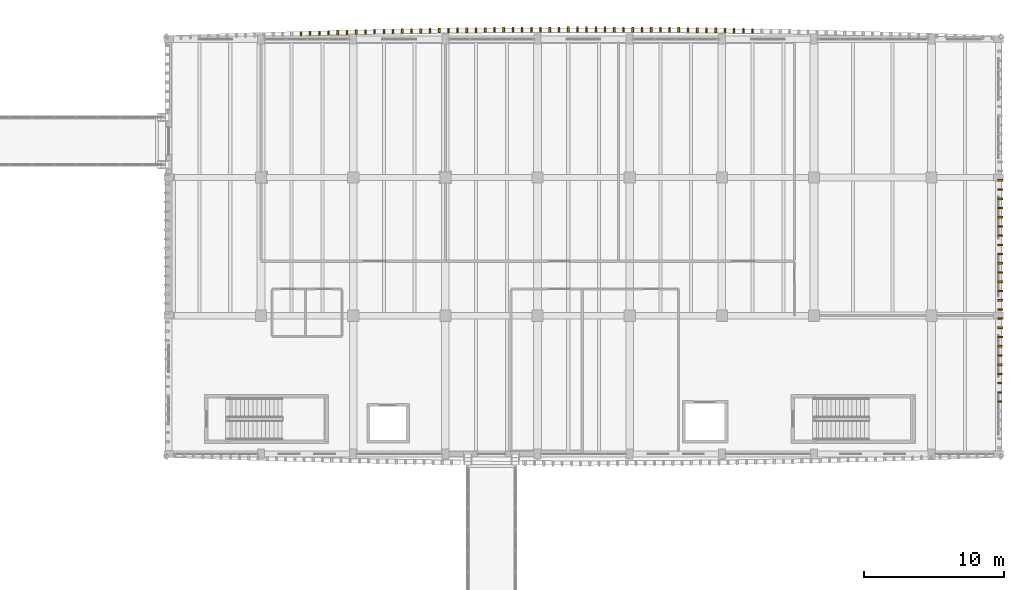
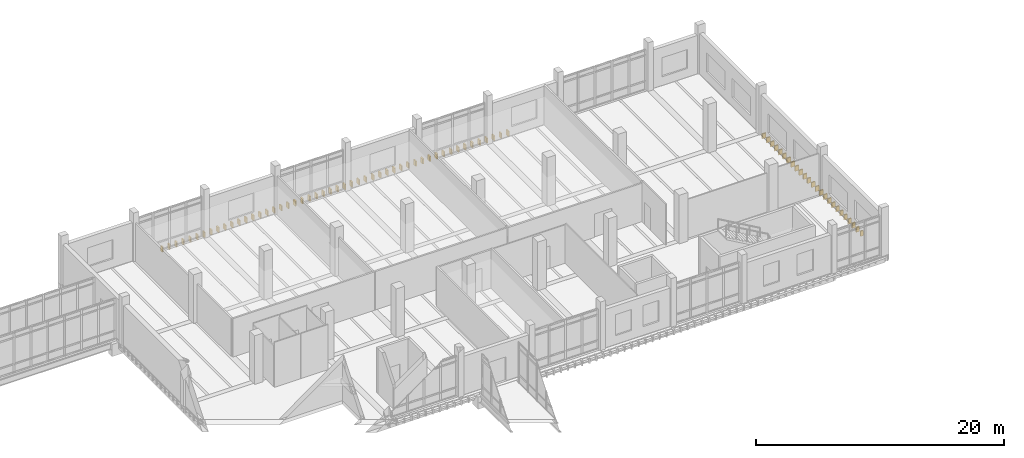
# One storey, part 124 of 125: 75 coverings.
"""IFC4 building model written with IfcOpenShell, lengths in metres."""

from ifc_helpers import new_model, si_unit, direction, frame, origin, origin_2d, place, context, subcontext, project, spatial, rectangle, extrude, material, layer, layer_set, type_object, element, save


model = new_model("IFC4")

# Units and contexts
model_context = context("Model", 3, precision=1e-05, world=origin(), true_north=direction((0.0, 1.0)))
body_context = subcontext(model_context, "Body", "Model", "MODEL_VIEW")
ifc_project = project(units=[si_unit("LENGTHUNIT", "METRE"), si_unit("AREAUNIT", "SQUARE_METRE"), si_unit("VOLUMEUNIT", "CUBIC_METRE"), si_unit("PLANEANGLEUNIT", "RADIAN"), si_unit("MASSUNIT", "GRAM", prefix="KILO")], contexts=[model_context])

# Site, building, storey
site_placement = place(None, origin())
site = spatial("IfcSite", under=ifc_project, at=site_placement, CompositionType="ELEMENT")
building_placement = place(site_placement, origin())
building = spatial("IfcBuilding", under=site, at=building_placement, Name="Dornvale Research Institute", CompositionType="ELEMENT")
storey_placement = place(building_placement, frame((0.0, 0.0, 5.39990234375)))
storey = spatial("IfcBuildingStorey", under=building, at=storey_placement, Name="L01", CompositionType="ELEMENT", Elevation=5.39990234375)

# Coverings
ifc_material = material(Name="Polychrome Glazed Terracotta Visor Rib Ceramic", Category="masonry")
ifc_layer = layer(ifc_material, 0.1201171875)
ifc_layer_set = layer_set([ifc_layer], Name="Polychrome Glazed Terracotta Visor Rib Ceramic")
covering_type = type_object("IfcCoveringType", Name="Covering_VisorBlade_Low", PredefinedType="CLADDING", material=ifc_layer_set)
covering_1_placement = place(storey_placement, frame((160.59619140625, 122.684814453125, -0.489990234375), z_axis=(0.0, 0.0, 1.0), x_axis=(0.0, 1.0, 0.0)))
element("IfcCovering", 1, at=covering_1_placement, inside=storey, type_object=covering_type, Name="L01 V4 canted glazed terracotta visor blade #1833", PredefinedType="CLADDING", context=body_context, shape_type="SweptSolid", body=[
    extrude(rectangle(XDim=0.3330078125, YDim=0.1201171875, at=origin_2d()), origin(), (0.0, 0.0, 1.0), 0.5),
])
covering_2_placement = place(storey_placement, frame((159.936279296875, 122.6962890625, -0.489990234375), z_axis=(0.0, 0.0, 1.0), x_axis=(0.0, 1.0, 0.0)))
element("IfcCovering", 2, at=covering_2_placement, inside=storey, type_object=covering_type, Name="L01 V4 canted glazed terracotta visor blade #1834", PredefinedType="CLADDING", context=body_context, shape_type="SweptSolid", body=[
    extrude(rectangle(XDim=0.3359375, YDim=0.1201171875, at=origin_2d()), origin(), (0.0, 0.0, 1.0), 0.5),
])
covering_3_placement = place(storey_placement, frame((159.276611328125, 122.706787109375, -0.489990234375), z_axis=(0.0, 0.0, 1.0), x_axis=(0.0, 1.0, 0.0)))
element("IfcCovering", 3, at=covering_3_placement, inside=storey, type_object=covering_type, Name="L01 V4 canted glazed terracotta visor blade #1835", PredefinedType="CLADDING", context=body_context, shape_type="SweptSolid", body=[
    extrude(rectangle(XDim=0.339111328125, YDim=0.1201171875, at=origin_2d()), origin(), (0.0, 0.0, 1.0), 0.5),
])
covering_4_placement = place(storey_placement, frame((158.616455078125, 122.716552734375, -0.489990234375), z_axis=(0.0, 0.0, 1.0), x_axis=(0.0, 1.0, 0.0)))
element("IfcCovering", 4, at=covering_4_placement, inside=storey, type_object=covering_type, Name="L01 V4 canted glazed terracotta visor blade #1836", PredefinedType="CLADDING", context=body_context, shape_type="SweptSolid", body=[
    extrude(rectangle(XDim=0.341064453125, YDim=0.1201171875, at=origin_2d()), origin(), (0.0, 0.0, 1.0), 0.5),
])
covering_5_placement = place(storey_placement, frame((157.95654296875, 122.725830078125, -0.489990234375), z_axis=(0.0, 0.0, 1.0), x_axis=(0.0, 1.0, 0.0)))
element("IfcCovering", 5, at=covering_5_placement, inside=storey, type_object=covering_type, Name="L01 V4 canted glazed terracotta visor blade #1837", PredefinedType="CLADDING", context=body_context, shape_type="SweptSolid", body=[
    extrude(rectangle(XDim=0.343994140625, YDim=0.1201171875, at=origin_2d()), origin(), (0.0, 0.0, 1.0), 0.5),
])
covering_6_placement = place(storey_placement, frame((157.296630859375, 122.734375, -0.489990234375), z_axis=(0.0, 0.0, 1.0), x_axis=(0.0, 1.0, 0.0)))
element("IfcCovering", 6, at=covering_6_placement, inside=storey, type_object=covering_type, Name="L01 V4 canted glazed terracotta visor blade #1838", PredefinedType="CLADDING", context=body_context, shape_type="SweptSolid", body=[
    extrude(rectangle(XDim=0.345947265625, YDim=0.1201171875, at=origin_2d()), origin(), (0.0, 0.0, 1.0), 0.5),
])
covering_7_placement = place(storey_placement, frame((156.63671875, 122.74267578125, -0.489990234375), z_axis=(0.0, 0.0, 1.0), x_axis=(0.0, 1.0, 0.0)))
element("IfcCovering", 7, at=covering_7_placement, inside=storey, type_object=covering_type, Name="L01 V4 canted glazed terracotta visor blade #1839", PredefinedType="CLADDING", context=body_context, shape_type="SweptSolid", body=[
    extrude(rectangle(XDim=0.347900390625, YDim=0.1201171875, at=origin_2d()), origin(), (0.0, 0.0, 1.0), 0.5),
])
covering_8_placement = place(storey_placement, frame((155.976806640625, 122.749755859375, -0.489990234375), z_axis=(0.0, 0.0, 1.0), x_axis=(0.0, 1.0, 0.0)))
element("IfcCovering", 8, at=covering_8_placement, inside=storey, type_object=covering_type, Name="L01 V4 canted glazed terracotta visor blade #1840", PredefinedType="CLADDING", context=body_context, shape_type="SweptSolid", body=[
    extrude(rectangle(XDim=0.35009765625, YDim=0.1201171875, at=origin_2d()), origin(), (0.0, 0.0, 1.0), 0.5),
])
covering_9_placement = place(storey_placement, frame((155.316650390625, 122.7568359375, -0.489990234375), z_axis=(0.0, 0.0, 1.0), x_axis=(0.0, 1.0, 0.0)))
element("IfcCovering", 9, at=covering_9_placement, inside=storey, type_object=covering_type, Name="L01 V4 canted glazed terracotta visor blade #1841", PredefinedType="CLADDING", context=body_context, shape_type="SweptSolid", body=[
    extrude(rectangle(XDim=0.35205078125, YDim=0.1201171875, at=origin_2d()), origin(), (0.0, 0.0, 1.0), 0.5),
])
covering_10_placement = place(storey_placement, frame((154.65673828125, 122.762451171875, -0.489990234375), z_axis=(0.0, 0.0, 1.0), x_axis=(0.0, 1.0, 0.0)))
element("IfcCovering", 10, at=covering_10_placement, inside=storey, type_object=covering_type, Name="L01 V4 canted glazed terracotta visor blade #1842", PredefinedType="CLADDING", context=body_context, shape_type="SweptSolid", body=[
    extrude(rectangle(XDim=0.35302734375, YDim=0.1201171875, at=origin_2d()), origin(), (0.0, 0.0, 1.0), 0.5),
])
covering_11_placement = place(storey_placement, frame((153.99658203125, 122.768310546875, -0.489990234375), z_axis=(0.0, 0.0, 1.0), x_axis=(0.0, 1.0, 0.0)))
element("IfcCovering", 11, at=covering_11_placement, inside=storey, type_object=covering_type, Name="L01 V4 canted glazed terracotta visor blade #1843", PredefinedType="CLADDING", context=body_context, shape_type="SweptSolid", body=[
    extrude(rectangle(XDim=0.35498046875, YDim=0.1201171875, at=origin_2d()), origin(), (0.0, 0.0, 1.0), 0.5),
])
covering_12_placement = place(storey_placement, frame((153.3369140625, 122.773193359375, -0.489990234375), z_axis=(0.0, 0.0, 1.0), x_axis=(0.0, 1.0, 0.0)))
element("IfcCovering", 12, at=covering_12_placement, inside=storey, type_object=covering_type, Name="L01 V4 canted glazed terracotta visor blade #1844", PredefinedType="CLADDING", context=body_context, shape_type="SweptSolid", body=[
    extrude(rectangle(XDim=0.35595703125, YDim=0.1201171875, at=origin_2d()), origin(), (0.0, 0.0, 1.0), 0.5),
])
covering_13_placement = place(storey_placement, frame((152.6767578125, 122.777099609375, -0.489990234375), z_axis=(0.0, 0.0, 1.0), x_axis=(0.0, 1.0, 0.0)))
element("IfcCovering", 13, at=covering_13_placement, inside=storey, type_object=covering_type, Name="L01 V4 canted glazed terracotta visor blade #1845", PredefinedType="CLADDING", context=body_context, shape_type="SweptSolid", body=[
    extrude(rectangle(XDim=0.35693359375, YDim=0.1201171875, at=origin_2d()), origin(), (0.0, 0.0, 1.0), 0.5),
])
covering_14_placement = place(storey_placement, frame((152.016845703125, 122.781005859375, -0.489990234375), z_axis=(0.0, 0.0, 1.0), x_axis=(0.0, 1.0, 0.0)))
element("IfcCovering", 14, at=covering_14_placement, inside=storey, type_object=covering_type, Name="L01 V4 canted glazed terracotta visor blade #1846", PredefinedType="CLADDING", context=body_context, shape_type="SweptSolid", body=[
    extrude(rectangle(XDim=0.35791015625, YDim=0.1201171875, at=origin_2d()), origin(), (0.0, 0.0, 1.0), 0.5),
])
for number, where, z_axis, x_axis, name in (
    (15, (151.356689453125, 122.7841796875, -0.489990234375), (0.0, 0.0, 1.0), (0.0, 1.0, 0.0), "L01 V4 canted glazed terracotta visor blade #1847"),
    (16, (150.69677734375, 122.7861328125, -0.489990234375), (0.0, 0.0, 1.0), (0.0, 1.0, 0.0), "L01 V4 canted glazed terracotta visor blade #1848"),
):
    element("IfcCovering", number, at=place(storey_placement, frame(where, z_axis=z_axis, x_axis=x_axis)), inside=storey, type_object=covering_type, Name=name, PredefinedType="CLADDING", context=body_context, shape_type="SweptSolid", body=[
        extrude(rectangle(XDim=0.35888671875, YDim=0.1201171875, at=origin_2d()), origin(), (0.0, 0.0, 1.0), 0.5),
    ])
for number, where, z_axis, x_axis, name in (
    (17, (150.036865234375, 122.788330078125, -0.489990234375), (0.0, 0.0, 1.0), (0.0, 1.0, 0.0), "L01 V4 canted glazed terracotta visor blade #1849"),
    (18, (149.376708984375, 122.7890625, -0.489990234375), (0.0, 0.0, 1.0), (0.0, 1.0, 0.0), "L01 V4 canted glazed terracotta visor blade #1850"),
    (19, (148.716796875, 122.789794921875, -0.489990234375), (0.0, 0.0, 1.0), (0.0, 1.0, 0.0), "L01 V4 canted glazed terracotta visor blade #1851"),
    (20, (148.056884765625, 122.78955078125, -0.489990234375), (0.0, 0.0, 1.0), (0.0, 1.0, 0.0), "L01 V4 canted glazed terracotta visor blade #1852"),
    (21, (147.396728515625, 122.788818359375, -0.489990234375), (0.0, 0.0, 1.0), (0.0, 1.0, 0.0), "L01 V4 canted glazed terracotta visor blade #1853"),
):
    element("IfcCovering", number, at=place(storey_placement, frame(where, z_axis=z_axis, x_axis=x_axis)), inside=storey, type_object=covering_type, Name=name, PredefinedType="CLADDING", context=body_context, shape_type="SweptSolid", body=[
        extrude(rectangle(XDim=0.360107421875, YDim=0.1201171875, at=origin_2d()), origin(), (0.0, 0.0, 1.0), 0.5),
    ])
for number, where, z_axis, x_axis, name in (
    (22, (146.73681640625, 122.78759765625, -0.489990234375), (0.0, 0.0, 1.0), (0.0, 1.0, 0.0), "L01 V4 canted glazed terracotta visor blade #1854"),
    (23, (146.076904296875, 122.785400390625, -0.489990234375), (0.0, 0.0, 1.0), (0.0, 1.0, 0.0), "L01 V4 canted glazed terracotta visor blade #1855"),
):
    element("IfcCovering", number, at=place(storey_placement, frame(where, z_axis=z_axis, x_axis=x_axis)), inside=storey, type_object=covering_type, Name=name, PredefinedType="CLADDING", context=body_context, shape_type="SweptSolid", body=[
        extrude(rectangle(XDim=0.35888671875, YDim=0.1201171875, at=origin_2d()), origin(), (0.0, 0.0, 1.0), 0.5),
    ])
covering_15_placement = place(storey_placement, frame((145.416748046875, 122.782958984375, -0.489990234375), z_axis=(0.0, 0.0, 1.0), x_axis=(0.0, 1.0, 0.0)))
element("IfcCovering", 24, at=covering_15_placement, inside=storey, type_object=covering_type, Name="L01 V4 canted glazed terracotta visor blade #1856", PredefinedType="CLADDING", context=body_context, shape_type="SweptSolid", body=[
    extrude(rectangle(XDim=0.35791015625, YDim=0.1201171875, at=origin_2d()), origin(), (0.0, 0.0, 1.0), 0.5),
])
covering_16_placement = place(storey_placement, frame((144.7568359375, 122.779296875, -0.489990234375), z_axis=(0.0, 0.0, 1.0), x_axis=(0.0, 1.0, 0.0)))
element("IfcCovering", 25, at=covering_16_placement, inside=storey, type_object=covering_type, Name="L01 V4 canted glazed terracotta visor blade #1857", PredefinedType="CLADDING", context=body_context, shape_type="SweptSolid", body=[
    extrude(rectangle(XDim=0.35693359375, YDim=0.1201171875, at=origin_2d()), origin(), (0.0, 0.0, 1.0), 0.5),
])
covering_17_placement = place(storey_placement, frame((144.0966796875, 122.775390625, -0.489990234375), z_axis=(0.0, 0.0, 1.0), x_axis=(0.0, 1.0, 0.0)))
element("IfcCovering", 26, at=covering_17_placement, inside=storey, type_object=covering_type, Name="L01 V4 canted glazed terracotta visor blade #1858", PredefinedType="CLADDING", context=body_context, shape_type="SweptSolid", body=[
    extrude(rectangle(XDim=0.35595703125, YDim=0.1201171875, at=origin_2d()), origin(), (0.0, 0.0, 1.0), 0.5),
])
covering_18_placement = place(storey_placement, frame((143.436767578125, 122.771484375, -0.489990234375), z_axis=(0.0, 0.0, 1.0), x_axis=(0.0, 1.0, 0.0)))
element("IfcCovering", 27, at=covering_18_placement, inside=storey, type_object=covering_type, Name="L01 V4 canted glazed terracotta visor blade #1859", PredefinedType="CLADDING", context=body_context, shape_type="SweptSolid", body=[
    extrude(rectangle(XDim=0.35498046875, YDim=0.1201171875, at=origin_2d()), origin(), (0.0, 0.0, 1.0), 0.5),
])
covering_19_placement = place(storey_placement, frame((142.77685546875, 122.76611328125, -0.489990234375), z_axis=(0.0, 0.0, 1.0), x_axis=(0.0, 1.0, 0.0)))
element("IfcCovering", 28, at=covering_19_placement, inside=storey, type_object=covering_type, Name="L01 V4 canted glazed terracotta visor blade #1860", PredefinedType="CLADDING", context=body_context, shape_type="SweptSolid", body=[
    extrude(rectangle(XDim=0.35400390625, YDim=0.1201171875, at=origin_2d()), origin(), (0.0, 0.0, 1.0), 0.5),
])
covering_20_placement = place(storey_placement, frame((142.116943359375, 122.760986328125, -0.489990234375), z_axis=(0.0, 0.0, 1.0), x_axis=(0.0, 1.0, 0.0)))
element("IfcCovering", 29, at=covering_20_placement, inside=storey, type_object=covering_type, Name="L01 V4 canted glazed terracotta visor blade #1861", PredefinedType="CLADDING", context=body_context, shape_type="SweptSolid", body=[
    extrude(rectangle(XDim=0.35302734375, YDim=0.1201171875, at=origin_2d()), origin(), (0.0, 0.0, 1.0), 0.5),
])
covering_21_placement = place(storey_placement, frame((141.456787109375, 122.754150390625, -0.489990234375), z_axis=(0.0, 0.0, 1.0), x_axis=(0.0, 1.0, 0.0)))
element("IfcCovering", 30, at=covering_21_placement, inside=storey, type_object=covering_type, Name="L01 V4 canted glazed terracotta visor blade #1862", PredefinedType="CLADDING", context=body_context, shape_type="SweptSolid", body=[
    extrude(rectangle(XDim=0.35107421875, YDim=0.1201171875, at=origin_2d()), origin(), (0.0, 0.0, 1.0), 0.5),
])
covering_22_placement = place(storey_placement, frame((140.796875, 122.7470703125, -0.489990234375), z_axis=(0.0, 0.0, 1.0), x_axis=(0.0, 1.0, 0.0)))
element("IfcCovering", 31, at=covering_22_placement, inside=storey, type_object=covering_type, Name="L01 V4 canted glazed terracotta visor blade #1863", PredefinedType="CLADDING", context=body_context, shape_type="SweptSolid", body=[
    extrude(rectangle(XDim=0.34912109375, YDim=0.1201171875, at=origin_2d()), origin(), (0.0, 0.0, 1.0), 0.5),
])
covering_23_placement = place(storey_placement, frame((140.136962890625, 122.73974609375, -0.489990234375), z_axis=(0.0, 0.0, 1.0), x_axis=(0.0, 1.0, 0.0)))
element("IfcCovering", 32, at=covering_23_placement, inside=storey, type_object=covering_type, Name="L01 V4 canted glazed terracotta visor blade #1864", PredefinedType="CLADDING", context=body_context, shape_type="SweptSolid", body=[
    extrude(rectangle(XDim=0.346923828125, YDim=0.1201171875, at=origin_2d()), origin(), (0.0, 0.0, 1.0), 0.5),
])
covering_24_placement = place(storey_placement, frame((139.47705078125, 122.731201171875, -0.489990234375), z_axis=(0.0, 0.0, 1.0), x_axis=(0.0, 1.0, 0.0)))
element("IfcCovering", 33, at=covering_24_placement, inside=storey, type_object=covering_type, Name="L01 V4 canted glazed terracotta visor blade #1865", PredefinedType="CLADDING", context=body_context, shape_type="SweptSolid", body=[
    extrude(rectangle(XDim=0.344970703125, YDim=0.1201171875, at=origin_2d()), origin(), (0.0, 0.0, 1.0), 0.5),
])
covering_25_placement = place(storey_placement, frame((138.81689453125, 122.722900390625, -0.489990234375), z_axis=(0.0, 0.0, 1.0), x_axis=(0.0, 1.0, 0.0)))
element("IfcCovering", 34, at=covering_25_placement, inside=storey, type_object=covering_type, Name="L01 V4 canted glazed terracotta visor blade #1866", PredefinedType="CLADDING", context=body_context, shape_type="SweptSolid", body=[
    extrude(rectangle(XDim=0.343017578125, YDim=0.1201171875, at=origin_2d()), origin(), (0.0, 0.0, 1.0), 0.5),
])
covering_26_placement = place(storey_placement, frame((138.156982421875, 122.71337890625, -0.489990234375), z_axis=(0.0, 0.0, 1.0), x_axis=(0.0, 1.0, 0.0)))
element("IfcCovering", 35, at=covering_26_placement, inside=storey, type_object=covering_type, Name="L01 V4 canted glazed terracotta visor blade #1867", PredefinedType="CLADDING", context=body_context, shape_type="SweptSolid", body=[
    extrude(rectangle(XDim=0.341064453125, YDim=0.1201171875, at=origin_2d()), origin(), (0.0, 0.0, 1.0), 0.5),
])
covering_27_placement = place(storey_placement, frame((137.4970703125, 122.703125, -0.489990234375), z_axis=(0.0, 0.0, 1.0), x_axis=(0.0, 1.0, 0.0)))
element("IfcCovering", 36, at=covering_27_placement, inside=storey, type_object=covering_type, Name="L01 V4 canted glazed terracotta visor blade #1868", PredefinedType="CLADDING", context=body_context, shape_type="SweptSolid", body=[
    extrude(rectangle(XDim=0.337890625, YDim=0.1201171875, at=origin_2d()), origin(), (0.0, 0.0, 1.0), 0.5),
])
covering_28_placement = place(storey_placement, frame((136.837158203125, 122.692626953125, -0.489990234375), z_axis=(0.0, 0.0, 1.0), x_axis=(0.0, 1.0, 0.0)))
element("IfcCovering", 37, at=covering_28_placement, inside=storey, type_object=covering_type, Name="L01 V4 canted glazed terracotta visor blade #1869", PredefinedType="CLADDING", context=body_context, shape_type="SweptSolid", body=[
    extrude(rectangle(XDim=0.3349609375, YDim=0.1201171875, at=origin_2d()), origin(), (0.0, 0.0, 1.0), 0.5),
])
covering_29_placement = place(storey_placement, frame((136.17724609375, 122.680908203125, -0.489990234375), z_axis=(0.0, 0.0, 1.0), x_axis=(0.0, 1.0, 0.0)))
element("IfcCovering", 38, at=covering_29_placement, inside=storey, type_object=covering_type, Name="L01 V4 canted glazed terracotta visor blade #1870", PredefinedType="CLADDING", context=body_context, shape_type="SweptSolid", body=[
    extrude(rectangle(XDim=0.33203125, YDim=0.1201171875, at=origin_2d()), origin(), (0.0, 0.0, 1.0), 0.5),
])
covering_30_placement = place(storey_placement, frame((135.517333984375, 122.669189453125, -0.489990234375), z_axis=(0.0, 0.0, 1.0), x_axis=(0.0, 1.0, 0.0)))
element("IfcCovering", 39, at=covering_30_placement, inside=storey, type_object=covering_type, Name="L01 V4 canted glazed terracotta visor blade #1871", PredefinedType="CLADDING", context=body_context, shape_type="SweptSolid", body=[
    extrude(rectangle(XDim=0.3291015625, YDim=0.1201171875, at=origin_2d()), origin(), (0.0, 0.0, 1.0), 0.5),
])
covering_31_placement = place(storey_placement, frame((134.857421875, 122.656494140625, -0.489990234375), z_axis=(0.0, 0.0, 1.0), x_axis=(0.0, 1.0, 0.0)))
element("IfcCovering", 40, at=covering_31_placement, inside=storey, type_object=covering_type, Name="L01 V4 canted glazed terracotta visor blade #1872", PredefinedType="CLADDING", context=body_context, shape_type="SweptSolid", body=[
    extrude(rectangle(XDim=0.325927734375, YDim=0.1201171875, at=origin_2d()), origin(), (0.0, 0.0, 1.0), 0.5),
])
covering_32_placement = place(storey_placement, frame((134.197509765625, 122.6435546875, -0.489990234375), z_axis=(0.0, 0.0, 1.0), x_axis=(0.0, 1.0, 0.0)))
element("IfcCovering", 41, at=covering_32_placement, inside=storey, type_object=covering_type, Name="L01 V4 canted glazed terracotta visor blade #1873", PredefinedType="CLADDING", context=body_context, shape_type="SweptSolid", body=[
    extrude(rectangle(XDim=0.322998046875, YDim=0.1201171875, at=origin_2d()), origin(), (0.0, 0.0, 1.0), 0.5),
])
covering_33_placement = place(storey_placement, frame((133.53759765625, 122.6298828125, -0.489990234375), z_axis=(0.0, 0.0, 1.0), x_axis=(0.0, 1.0, 0.0)))
element("IfcCovering", 42, at=covering_33_placement, inside=storey, type_object=covering_type, Name="L01 V4 canted glazed terracotta visor blade #1874", PredefinedType="CLADDING", context=body_context, shape_type="SweptSolid", body=[
    extrude(rectangle(XDim=0.319091796875, YDim=0.1201171875, at=origin_2d()), origin(), (0.0, 0.0, 1.0), 0.5),
])
covering_34_placement = place(storey_placement, frame((132.877685546875, 122.615478515625, -0.489990234375), z_axis=(0.0, 0.0, 1.0), x_axis=(0.0, 1.0, 0.0)))
element("IfcCovering", 43, at=covering_34_placement, inside=storey, type_object=covering_type, Name="L01 V4 canted glazed terracotta visor blade #1875", PredefinedType="CLADDING", context=body_context, shape_type="SweptSolid", body=[
    extrude(rectangle(XDim=0.31591796875, YDim=0.1201171875, at=origin_2d()), origin(), (0.0, 0.0, 1.0), 0.5),
])
covering_35_placement = place(storey_placement, frame((132.218017578125, 122.6005859375, -0.489990234375), z_axis=(0.0, 0.0, 1.0), x_axis=(0.0, 1.0, 0.0)))
element("IfcCovering", 44, at=covering_35_placement, inside=storey, type_object=covering_type, Name="L01 V4 canted glazed terracotta visor blade #1876", PredefinedType="CLADDING", context=body_context, shape_type="SweptSolid", body=[
    extrude(rectangle(XDim=0.31201171875, YDim=0.1201171875, at=origin_2d()), origin(), (0.0, 0.0, 1.0), 0.5),
])
covering_36_placement = place(storey_placement, frame((131.55810546875, 122.584716796875, -0.489990234375), z_axis=(0.0, 0.0, 1.0), x_axis=(0.0, 1.0, 0.0)))
element("IfcCovering", 45, at=covering_36_placement, inside=storey, type_object=covering_type, Name="L01 V4 canted glazed terracotta visor blade #1877", PredefinedType="CLADDING", context=body_context, shape_type="SweptSolid", body=[
    extrude(rectangle(XDim=0.30810546875, YDim=0.1201171875, at=origin_2d()), origin(), (0.0, 0.0, 1.0), 0.5),
])
covering_37_placement = place(storey_placement, frame((130.898193359375, 122.568359375, -0.489990234375), z_axis=(0.0, 0.0, 1.0), x_axis=(0.0, 1.0, 0.0)))
element("IfcCovering", 46, at=covering_37_placement, inside=storey, type_object=covering_type, Name="L01 V4 canted glazed terracotta visor blade #1878", PredefinedType="CLADDING", context=body_context, shape_type="SweptSolid", body=[
    extrude(rectangle(XDim=0.303955078125, YDim=0.1201171875, at=origin_2d()), origin(), (0.0, 0.0, 1.0), 0.5),
])
covering_38_placement = place(storey_placement, frame((130.23828125, 122.552001953125, -0.489990234375), z_axis=(0.0, 0.0, 1.0), x_axis=(0.0, 1.0, 0.0)))
element("IfcCovering", 47, at=covering_38_placement, inside=storey, type_object=covering_type, Name="L01 V4 canted glazed terracotta visor blade #1879", PredefinedType="CLADDING", context=body_context, shape_type="SweptSolid", body=[
    extrude(rectangle(XDim=0.300048828125, YDim=0.1201171875, at=origin_2d()), origin(), (0.0, 0.0, 1.0), 0.5),
])
covering_39_placement = place(storey_placement, frame((129.57861328125, 122.533935546875, -0.489990234375), z_axis=(0.0, 0.0, 1.0), x_axis=(0.0, 1.0, 0.0)))
element("IfcCovering", 48, at=covering_39_placement, inside=storey, type_object=covering_type, Name="L01 V4 canted glazed terracotta visor blade #1880", PredefinedType="CLADDING", context=body_context, shape_type="SweptSolid", body=[
    extrude(rectangle(XDim=0.294921875, YDim=0.1201171875, at=origin_2d()), origin(), (0.0, 0.0, 1.0), 0.5),
])
covering_40_placement = place(storey_placement, frame((128.918701171875, 122.515869140625, -0.489990234375), z_axis=(0.0, 0.0, 1.0), x_axis=(0.0, 1.0, 0.0)))
element("IfcCovering", 49, at=covering_40_placement, inside=storey, type_object=covering_type, Name="L01 V4 canted glazed terracotta visor blade #1881", PredefinedType="CLADDING", context=body_context, shape_type="SweptSolid", body=[
    extrude(rectangle(XDim=0.2900390625, YDim=0.1201171875, at=origin_2d()), origin(), (0.0, 0.0, 1.0), 0.5),
])
covering_41_placement = place(storey_placement, frame((128.2587890625, 122.497314453125, -0.489990234375), z_axis=(0.0, 0.0, 1.0), x_axis=(0.0, 1.0, 0.0)))
element("IfcCovering", 50, at=covering_41_placement, inside=storey, type_object=covering_type, Name="L01 V4 canted glazed terracotta visor blade #1882", PredefinedType="CLADDING", context=body_context, shape_type="SweptSolid", body=[
    extrude(rectangle(XDim=0.285888671875, YDim=0.1201171875, at=origin_2d()), origin(), (0.0, 0.0, 1.0), 0.5),
])
covering_42_placement = place(storey_placement, frame((178.29541015625, 96.14990234375, -0.489990234375), z_axis=(0.0, 0.0, 1.0), x_axis=(1.0, 0.0, 0.0)))
element("IfcCovering", 51, at=covering_42_placement, inside=storey, type_object=covering_type, Name="L01 V4 canted glazed terracotta visor blade #1901", PredefinedType="CLADDING", context=body_context, shape_type="SweptSolid", body=[
    extrude(rectangle(XDim=0.27099609375, YDim=0.1201171875, at=origin_2d()), origin(), (0.0, 0.0, 1.0), 0.5),
])
covering_43_placement = place(storey_placement, frame((178.300537109375, 96.81005859375, -0.489990234375), z_axis=(0.0, 0.0, 1.0), x_axis=(1.0, 0.0, 0.0)))
element("IfcCovering", 52, at=covering_43_placement, inside=storey, type_object=covering_type, Name="L01 V4 canted glazed terracotta visor blade #1902", PredefinedType="CLADDING", context=body_context, shape_type="SweptSolid", body=[
    extrude(rectangle(XDim=0.281005859375, YDim=0.1201171875, at=origin_2d()), origin(), (0.0, 0.0, 1.0), 0.5),
])
covering_44_placement = place(storey_placement, frame((178.305419921875, 97.469970703125, -0.489990234375), z_axis=(0.0, 0.0, 1.0), x_axis=(1.0, 0.0, 0.0)))
element("IfcCovering", 53, at=covering_44_placement, inside=storey, type_object=covering_type, Name="L01 V4 canted glazed terracotta visor blade #1903", PredefinedType="CLADDING", context=body_context, shape_type="SweptSolid", body=[
    extrude(rectangle(XDim=0.291015625, YDim=0.1201171875, at=origin_2d()), origin(), (0.0, 0.0, 1.0), 0.5),
])
covering_45_placement = place(storey_placement, frame((178.31005859375, 98.1298828125, -0.489990234375), z_axis=(0.0, 0.0, 1.0), x_axis=(1.0, 0.0, 0.0)))
element("IfcCovering", 54, at=covering_45_placement, inside=storey, type_object=covering_type, Name="L01 V4 canted glazed terracotta visor blade #1904", PredefinedType="CLADDING", context=body_context, shape_type="SweptSolid", body=[
    extrude(rectangle(XDim=0.300048828125, YDim=0.1201171875, at=origin_2d()), origin(), (0.0, 0.0, 1.0), 0.5),
])
covering_46_placement = place(storey_placement, frame((178.31396484375, 98.7900390625, -0.489990234375), z_axis=(0.0, 0.0, 1.0), x_axis=(1.0, 0.0, 0.0)))
element("IfcCovering", 55, at=covering_46_placement, inside=storey, type_object=covering_type, Name="L01 V4 canted glazed terracotta visor blade #1905", PredefinedType="CLADDING", context=body_context, shape_type="SweptSolid", body=[
    extrude(rectangle(XDim=0.30810546875, YDim=0.1201171875, at=origin_2d()), origin(), (0.0, 0.0, 1.0), 0.5),
])
covering_47_placement = place(storey_placement, frame((178.318115234375, 99.449951171875, -0.489990234375), z_axis=(0.0, 0.0, 1.0), x_axis=(1.0, 0.0, 0.0)))
element("IfcCovering", 56, at=covering_47_placement, inside=storey, type_object=covering_type, Name="L01 V4 canted glazed terracotta visor blade #1906", PredefinedType="CLADDING", context=body_context, shape_type="SweptSolid", body=[
    extrude(rectangle(XDim=0.31591796875, YDim=0.1201171875, at=origin_2d()), origin(), (0.0, 0.0, 1.0), 0.5),
])
covering_48_placement = place(storey_placement, frame((178.321533203125, 100.110107421875, -0.489990234375), z_axis=(0.0, 0.0, 1.0), x_axis=(1.0, 0.0, 0.0)))
element("IfcCovering", 57, at=covering_48_placement, inside=storey, type_object=covering_type, Name="L01 V4 canted glazed terracotta visor blade #1907", PredefinedType="CLADDING", context=body_context, shape_type="SweptSolid", body=[
    extrude(rectangle(XDim=0.322998046875, YDim=0.1201171875, at=origin_2d()), origin(), (0.0, 0.0, 1.0), 0.5),
])
covering_49_placement = place(storey_placement, frame((178.324951171875, 100.77001953125, -0.489990234375), z_axis=(0.0, 0.0, 1.0), x_axis=(1.0, 0.0, 0.0)))
element("IfcCovering", 58, at=covering_49_placement, inside=storey, type_object=covering_type, Name="L01 V4 canted glazed terracotta visor blade #1908", PredefinedType="CLADDING", context=body_context, shape_type="SweptSolid", body=[
    extrude(rectangle(XDim=0.330078125, YDim=0.1201171875, at=origin_2d()), origin(), (0.0, 0.0, 1.0), 0.5),
])
covering_50_placement = place(storey_placement, frame((178.327392578125, 101.429931640625, -0.489990234375), z_axis=(0.0, 0.0, 1.0), x_axis=(1.0, 0.0, 0.0)))
element("IfcCovering", 59, at=covering_50_placement, inside=storey, type_object=covering_type, Name="L01 V4 canted glazed terracotta visor blade #1909", PredefinedType="CLADDING", context=body_context, shape_type="SweptSolid", body=[
    extrude(rectangle(XDim=0.3349609375, YDim=0.1201171875, at=origin_2d()), origin(), (0.0, 0.0, 1.0), 0.5),
])
covering_51_placement = place(storey_placement, frame((178.33056640625, 102.090087890625, -0.489990234375), z_axis=(0.0, 0.0, 1.0), x_axis=(1.0, 0.0, 0.0)))
element("IfcCovering", 60, at=covering_51_placement, inside=storey, type_object=covering_type, Name="L01 V4 canted glazed terracotta visor blade #1910", PredefinedType="CLADDING", context=body_context, shape_type="SweptSolid", body=[
    extrude(rectangle(XDim=0.341064453125, YDim=0.1201171875, at=origin_2d()), origin(), (0.0, 0.0, 1.0), 0.5),
])
covering_52_placement = place(storey_placement, frame((178.33251953125, 102.75, -0.489990234375), z_axis=(0.0, 0.0, 1.0), x_axis=(1.0, 0.0, 0.0)))
element("IfcCovering", 61, at=covering_52_placement, inside=storey, type_object=covering_type, Name="L01 V4 canted glazed terracotta visor blade #1911", PredefinedType="CLADDING", context=body_context, shape_type="SweptSolid", body=[
    extrude(rectangle(XDim=0.344970703125, YDim=0.1201171875, at=origin_2d()), origin(), (0.0, 0.0, 1.0), 0.5),
])
covering_53_placement = place(storey_placement, frame((178.33447265625, 103.409912109375, -0.489990234375), z_axis=(0.0, 0.0, 1.0), x_axis=(1.0, 0.0, 0.0)))
element("IfcCovering", 62, at=covering_53_placement, inside=storey, type_object=covering_type, Name="L01 V4 canted glazed terracotta visor blade #1912", PredefinedType="CLADDING", context=body_context, shape_type="SweptSolid", body=[
    extrude(rectangle(XDim=0.34912109375, YDim=0.1201171875, at=origin_2d()), origin(), (0.0, 0.0, 1.0), 0.5),
])
covering_54_placement = place(storey_placement, frame((178.33642578125, 104.070068359375, -0.489990234375), z_axis=(0.0, 0.0, 1.0), x_axis=(1.0, 0.0, 0.0)))
element("IfcCovering", 63, at=covering_54_placement, inside=storey, type_object=covering_type, Name="L01 V4 canted glazed terracotta visor blade #1913", PredefinedType="CLADDING", context=body_context, shape_type="SweptSolid", body=[
    extrude(rectangle(XDim=0.35302734375, YDim=0.1201171875, at=origin_2d()), origin(), (0.0, 0.0, 1.0), 0.5),
])
covering_55_placement = place(storey_placement, frame((178.33740234375, 104.72998046875, -0.489990234375), z_axis=(0.0, 0.0, 1.0), x_axis=(1.0, 0.0, 0.0)))
element("IfcCovering", 64, at=covering_55_placement, inside=storey, type_object=covering_type, Name="L01 V4 canted glazed terracotta visor blade #1914", PredefinedType="CLADDING", context=body_context, shape_type="SweptSolid", body=[
    extrude(rectangle(XDim=0.35498046875, YDim=0.1201171875, at=origin_2d()), origin(), (0.0, 0.0, 1.0), 0.5),
])
covering_56_placement = place(storey_placement, frame((178.33837890625, 105.389892578125, -0.489990234375), z_axis=(0.0, 0.0, 1.0), x_axis=(1.0, 0.0, 0.0)))
element("IfcCovering", 65, at=covering_56_placement, inside=storey, type_object=covering_type, Name="L01 V4 canted glazed terracotta visor blade #1915", PredefinedType="CLADDING", context=body_context, shape_type="SweptSolid", body=[
    extrude(rectangle(XDim=0.35693359375, YDim=0.1201171875, at=origin_2d()), origin(), (0.0, 0.0, 1.0), 0.5),
])
covering_57_placement = place(storey_placement, frame((178.339599609375, 106.050048828125, -0.489990234375), z_axis=(0.0, 0.0, 1.0), x_axis=(1.0, 0.0, 0.0)))
element("IfcCovering", 66, at=covering_57_placement, inside=storey, type_object=covering_type, Name="L01 V4 canted glazed terracotta visor blade #1916", PredefinedType="CLADDING", context=body_context, shape_type="SweptSolid", body=[
    extrude(rectangle(XDim=0.35888671875, YDim=0.1201171875, at=origin_2d()), origin(), (0.0, 0.0, 1.0), 0.5),
])
for number, where, z_axis, x_axis, name in (
    (67, (178.340087890625, 106.7099609375, -0.489990234375), (0.0, 0.0, 1.0), (1.0, 0.0, 0.0), "L01 V4 canted glazed terracotta visor blade #1917"),
    (68, (178.340087890625, 107.3701171875, -0.489990234375), (0.0, 0.0, 1.0), (1.0, 0.0, 0.0), "L01 V4 canted glazed terracotta visor blade #1918"),
    (69, (178.340087890625, 108.030029296875, -0.489990234375), (0.0, 0.0, 1.0), (1.0, 0.0, 0.0), "L01 V4 canted glazed terracotta visor blade #1919"),
):
    element("IfcCovering", number, at=place(storey_placement, frame(where, z_axis=z_axis, x_axis=x_axis)), inside=storey, type_object=covering_type, Name=name, PredefinedType="CLADDING", context=body_context, shape_type="SweptSolid", body=[
        extrude(rectangle(XDim=0.360107421875, YDim=0.1201171875, at=origin_2d()), origin(), (0.0, 0.0, 1.0), 0.5),
    ])
covering_58_placement = place(storey_placement, frame((178.339111328125, 108.68994140625, -0.489990234375), z_axis=(0.0, 0.0, 1.0), x_axis=(1.0, 0.0, 0.0)))
element("IfcCovering", 70, at=covering_58_placement, inside=storey, type_object=covering_type, Name="L01 V4 canted glazed terracotta visor blade #1920", PredefinedType="CLADDING", context=body_context, shape_type="SweptSolid", body=[
    extrude(rectangle(XDim=0.35791015625, YDim=0.1201171875, at=origin_2d()), origin(), (0.0, 0.0, 1.0), 0.5),
])
covering_59_placement = place(storey_placement, frame((178.33837890625, 109.35009765625, -0.489990234375), z_axis=(0.0, 0.0, 1.0), x_axis=(1.0, 0.0, 0.0)))
element("IfcCovering", 71, at=covering_59_placement, inside=storey, type_object=covering_type, Name="L01 V4 canted glazed terracotta visor blade #1921", PredefinedType="CLADDING", context=body_context, shape_type="SweptSolid", body=[
    extrude(rectangle(XDim=0.35693359375, YDim=0.1201171875, at=origin_2d()), origin(), (0.0, 0.0, 1.0), 0.5),
])
covering_60_placement = place(storey_placement, frame((178.3369140625, 110.010009765625, -0.489990234375), z_axis=(0.0, 0.0, 1.0), x_axis=(1.0, 0.0, 0.0)))
element("IfcCovering", 72, at=covering_60_placement, inside=storey, type_object=covering_type, Name="L01 V4 canted glazed terracotta visor blade #1922", PredefinedType="CLADDING", context=body_context, shape_type="SweptSolid", body=[
    extrude(rectangle(XDim=0.35400390625, YDim=0.1201171875, at=origin_2d()), origin(), (0.0, 0.0, 1.0), 0.5),
])
covering_61_placement = place(storey_placement, frame((178.3359375, 110.669921875, -0.489990234375), z_axis=(0.0, 0.0, 1.0), x_axis=(1.0, 0.0, 0.0)))
element("IfcCovering", 73, at=covering_61_placement, inside=storey, type_object=covering_type, Name="L01 V4 canted glazed terracotta visor blade #1923", PredefinedType="CLADDING", context=body_context, shape_type="SweptSolid", body=[
    extrude(rectangle(XDim=0.35205078125, YDim=0.1201171875, at=origin_2d()), origin(), (0.0, 0.0, 1.0), 0.5),
])
covering_62_placement = place(storey_placement, frame((178.333984375, 111.330078125, -0.489990234375), z_axis=(0.0, 0.0, 1.0), x_axis=(1.0, 0.0, 0.0)))
element("IfcCovering", 74, at=covering_62_placement, inside=storey, type_object=covering_type, Name="L01 V4 canted glazed terracotta visor blade #1924", PredefinedType="CLADDING", context=body_context, shape_type="SweptSolid", body=[
    extrude(rectangle(XDim=0.347900390625, YDim=0.1201171875, at=origin_2d()), origin(), (0.0, 0.0, 1.0), 0.5),
])
covering_63_placement = place(storey_placement, frame((178.33203125, 111.989990234375, -0.489990234375), z_axis=(0.0, 0.0, 1.0), x_axis=(1.0, 0.0, 0.0)))
element("IfcCovering", 75, at=covering_63_placement, inside=storey, type_object=covering_type, Name="L01 V4 canted glazed terracotta visor blade #1925", PredefinedType="CLADDING", context=body_context, shape_type="SweptSolid", body=[
    extrude(rectangle(XDim=0.343994140625, YDim=0.1201171875, at=origin_2d()), origin(), (0.0, 0.0, 1.0), 0.5),
])

save(model, "model.ifc")
